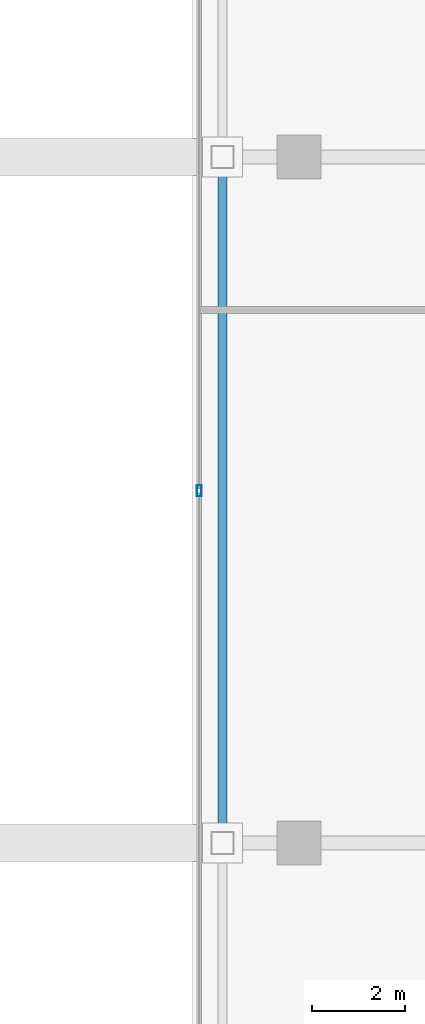
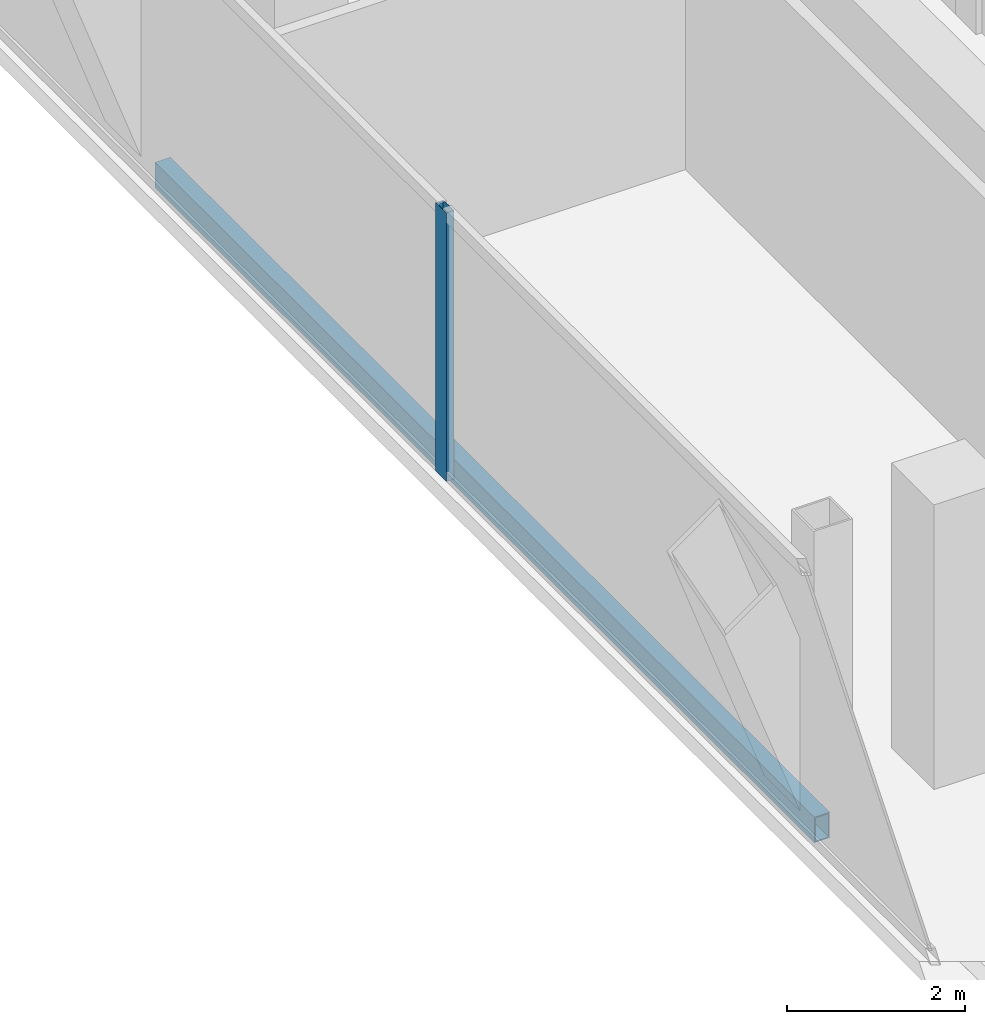
# One storey, part 5 of 27: 1 beam, 1 member, 1 element without a shape of its own.
"""IFC4 building model written with IfcOpenShell, lengths in metres."""

from ifc_helpers import new_model, si_unit, direction, frame, origin, origin_2d, place, context, subcontext, project, spatial, hollow_rectangle, extrude, material, layer, layer_set, material_profile, profile_set, type_object, element, aggregate, save


model = new_model("IFC4")

# Units and contexts
model_context = context("Model", 3, precision=1e-05, world=origin(), true_north=direction((0.0, 1.0)))
body_context = subcontext(model_context, "Body", "Model", "MODEL_VIEW")
ifc_project = project(units=[si_unit("LENGTHUNIT", "METRE"), si_unit("AREAUNIT", "SQUARE_METRE"), si_unit("VOLUMEUNIT", "CUBIC_METRE"), si_unit("PLANEANGLEUNIT", "RADIAN"), si_unit("MASSUNIT", "GRAM", prefix="KILO")], contexts=[model_context])

# Site, building, storey
site_placement = place(None, origin())
site = spatial("IfcSite", under=ifc_project, at=site_placement, CompositionType="ELEMENT")
building_placement = place(site_placement, origin())
building = spatial("IfcBuilding", under=site, at=building_placement, Name="Khorvyn Point Tower", CompositionType="ELEMENT")
storey_placement = place(building_placement, frame((0.0, 0.0, 270.300048828125)))
storey = spatial("IfcBuildingStorey", under=building, at=storey_placement, Name="L66", CompositionType="ELEMENT", Elevation=270.300048828125)

# Curtain wall, member
ifc_material_1 = material(Name="Anodised aluminium 6063-T6 and laminated Low-E glass", Category="aluminium")
ifc_layer = layer(ifc_material_1, 0.18994140625)
ifc_layer_set = layer_set([ifc_layer], Name="Stick-Built High-Wind Curtain Wall CW-SYS-04")
curtain_wall_type = type_object("IfcCurtainWallType", Name="Stick-Built High-Wind Curtain Wall CW-SYS-04", PredefinedType="NOTDEFINED", material=ifc_layer_set)
curtain_wall_placement = place(storey_placement, origin())
curtain_wall = element("IfcCurtainWall", 1, at=curtain_wall_placement, inside=storey, type_object=curtain_wall_type, Name="Curtain Wall", PredefinedType="NOTDEFINED")
ifc_material_2 = material(Name="Anodised aluminium 6063-T6", Category="aluminium")
ifc_material_profile_1 = material_profile(ifc_material_2, hollow_rectangle(XDim=0.10009765625, YDim=0.239990234375, WallThickness=0.0048828125, at=origin_2d()))
ifc_profile_set_1 = profile_set([ifc_material_profile_1], Name="Anodised aluminium 6063-T6 ALU-MUL-100x240")
member_type = type_object("IfcMemberType", Name="Anodised Aluminium 6063-T6 Mullion ALU-MUL-100x240", PredefinedType="MULLION", material=ifc_profile_set_1)
member_placement = place(storey_placement, frame((-16.949951171875, 0.199951171875, 0.0), z_axis=(0.0, 0.0, 1.0), x_axis=(-1.0, 0.0, 0.0)))
member = element("IfcMember", 2, at=member_placement, type_object=member_type, Name="Transom", PredefinedType="MULLION", context=body_context, shape_type="SweptSolid", body=[
    extrude(hollow_rectangle(XDim=0.10009765625, YDim=0.239990234375, WallThickness=0.0048828125, at=origin_2d()), origin(), (0.0, 0.0, 1.0), 3.679931640625),
])
aggregate(curtain_wall, [member])

# Beam
ifc_material_3 = material(Name="Steel S355", Category="steel")
ifc_material_profile_2 = material_profile(ifc_material_3, hollow_rectangle(XDim=0.199951171875, YDim=0.35009765625, WallThickness=0.013916015625, at=origin_2d()))
ifc_profile_set_2 = profile_set([ifc_material_profile_2], Name="Steel S355 RHS350x200x14")
beam_type = type_object("IfcBeamType", Name="Steel S355 Spandrel RHS350x200x14", PredefinedType="SPANDREL", material=ifc_profile_set_2)
beam_placement = place(storey_placement, frame((-16.449951171875, -7.39990234375, -0.39501953125), z_axis=(0.0, 1.0, 0.0), x_axis=(-1.0, 0.0, 0.0)))
element("IfcBeam", 3, at=beam_placement, inside=storey, type_object=beam_type, Name="Beam", PredefinedType="SPANDREL", context=body_context, shape_type="SweptSolid", body=[
    extrude(hollow_rectangle(XDim=0.199951171875, YDim=0.35009765625, WallThickness=0.013916015625, at=origin_2d()), origin(), (0.0, 0.0, 1.0), 14.7998046875),
])

save(model, "model.ifc")
